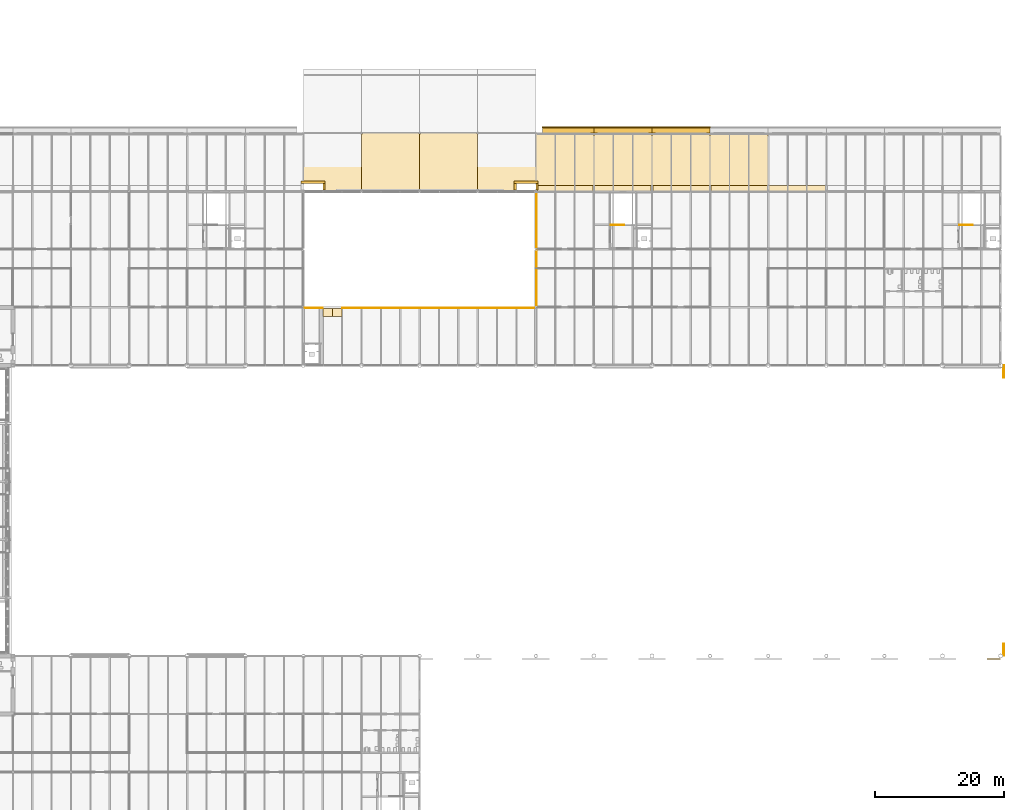
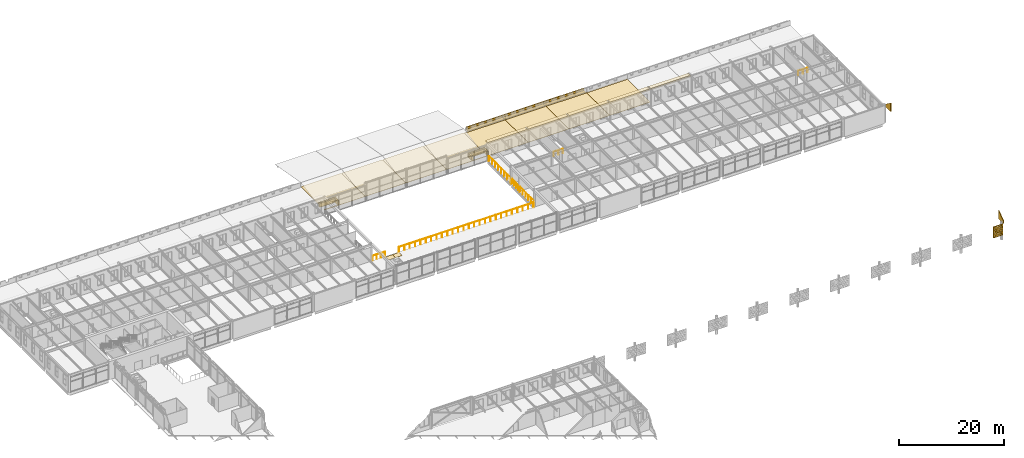
# One storey, part 110 of 123: 25 coverings, 7 railings, 4 shading devices.
"""IFC4 building model written with IfcOpenShell, lengths in metres."""

from ifc_helpers import new_model, si_unit, direction, frame, origin, origin_2d, place, context, subcontext, project, spatial, polyline, rectangle, circle, outline, extrude, material, layer, layer_set, type_object, element, save


model = new_model("IFC4")

# Units and contexts
model_context = context("Model", 3, precision=1e-05, world=origin(), true_north=direction((0.0, 1.0)))
body_context = subcontext(model_context, "Body", "Model", "MODEL_VIEW")
ifc_project = project(units=[si_unit("LENGTHUNIT", "METRE"), si_unit("AREAUNIT", "SQUARE_METRE"), si_unit("VOLUMEUNIT", "CUBIC_METRE"), si_unit("PLANEANGLEUNIT", "RADIAN"), si_unit("MASSUNIT", "GRAM", prefix="KILO")], contexts=[model_context])

# Site, building, storey
site_placement = place(None, origin())
site = spatial("IfcSite", under=ifc_project, at=site_placement, CompositionType="ELEMENT")
building_placement = place(site_placement, origin())
building = spatial("IfcBuilding", under=site, at=building_placement, Name="Baradari Gate Terminus", CompositionType="ELEMENT")
storey_placement = place(building_placement, frame((0.0, 0.0, 7.5)))
storey = spatial("IfcBuildingStorey", under=building, at=storey_placement, Name="L01", CompositionType="ELEMENT", Elevation=7.5)

# Coverings
ifc_material_1 = material(Name="Reconstituted stone cladding", Category="masonry")
ifc_layer_1 = layer(ifc_material_1, 0.199951171875)
ifc_layer_set_1 = layer_set([ifc_layer_1], Name="Reconstituted stone cladding")
covering_type_1 = type_object("IfcCoveringType", Name="Canopy chhajja fascia CF-1 450", PredefinedType="CLADDING", material=ifc_layer_set_1)
covering_1_placement = place(storey_placement, frame((176.0, 117.89990234375, 0.89990234375), z_axis=(0.0, 0.0, 1.0), x_axis=(1.0, 0.0, 0.0)))
element("IfcCovering", 1, at=covering_1_placement, inside=storey, type_object=covering_type_1, Name="Canopy chhajja fascia CF-1 C13", PredefinedType="CLADDING", context=body_context, shape_type="SweptSolid", body=[
    extrude(rectangle(XDim=8.0, YDim=0.199951171875, at=origin_2d()), origin(), (0.0, 0.0, 1.0), 0.449951171875),
])
for number, where, z_axis, x_axis, name in (
    (2, (184.5, 117.89990234375, 0.89990234375), (0.0, 0.0, 1.0), (1.0, 0.0, 0.0), "Canopy chhajja fascia CF-1 C14"),
    (3, (193.5, 117.89990234375, 0.89990234375), (0.0, 0.0, 1.0), (1.0, 0.0, 0.0), "Canopy chhajja fascia CF-1 C15"),
):
    element("IfcCovering", number, at=place(storey_placement, frame(where, z_axis=z_axis, x_axis=x_axis)), inside=storey, type_object=covering_type_1, Name=name, PredefinedType="CLADDING", context=body_context, shape_type="SweptSolid", body=[
        extrude(rectangle(XDim=9.0, YDim=0.199951171875, at=origin_2d()), origin(), (0.0, 0.0, 1.0), 0.449951171875),
    ])

# Shading devices
ifc_material_2 = material(Name="Concrete C40/50 precast", Category="concrete")
ifc_layer_2 = layer(ifc_material_2, 0.14990234375)
ifc_layer_set_2 = layer_set([ifc_layer_2], Name="Concrete C40/50 precast")
shading_device_type_1 = type_object("IfcShadingDeviceType", Name="Chhajja eave CJ-2 1000x150", PredefinedType="AWNING", material=ifc_layer_set_2)
shading_device_1_placement = place(storey_placement, frame((176.0, 117.5, 0.75), z_axis=(0.0, 0.0, 1.0), x_axis=(1.0, 0.0, 0.0)))
element("IfcShadingDevice", 4, at=shading_device_1_placement, inside=storey, type_object=shading_device_type_1, Name="Chhajja eave CJ-1 C bay 13", PredefinedType="AWNING", context=body_context, shape_type="SweptSolid", body=[
    extrude(rectangle(XDim=8.0, YDim=1.0, at=origin_2d()), origin(), (0.0, 0.0, 1.0), 0.14990234375),
])
for number, where, z_axis, x_axis, name in (
    (5, (184.5, 117.5, 0.75), (0.0, 0.0, 1.0), (1.0, 0.0, 0.0), "Chhajja eave CJ-1 C bay 14"),
    (6, (193.5, 117.5, 0.75), (0.0, 0.0, 1.0), (1.0, 0.0, 0.0), "Chhajja eave CJ-1 C bay 15"),
):
    element("IfcShadingDevice", number, at=place(storey_placement, frame(where, z_axis=z_axis, x_axis=x_axis)), inside=storey, type_object=shading_device_type_1, Name=name, PredefinedType="AWNING", context=body_context, shape_type="SweptSolid", body=[
        extrude(rectangle(XDim=9.0, YDim=1.0, at=origin_2d()), origin(), (0.0, 0.0, 1.0), 0.14990234375),
    ])

# Coverings
ifc_material_3 = material(Name="Stainless steel 1.4301", Category="steel")
ifc_layer_3 = layer(ifc_material_3, 0.050048828125)
ifc_layer_set_3 = layer_set([ifc_layer_3], Name="Stainless steel 1.4301")
covering_type_2 = type_object("IfcCoveringType", Name="Escalator landing plate EL-1", PredefinedType="FLOORING", material=ifc_layer_set_3)
covering_2_placement = place(storey_placement, frame((0.0, 0.0, -0.050048828125)))
element("IfcCovering", 7, at=covering_2_placement, inside=storey, type_object=covering_type_2, Name="Escalator landing plate EL-1 ES-H1 upper", PredefinedType="FLOORING", context=body_context, shape_type="SweptSolid", body=[
    extrude(outline(polyline([(138.0, 88.60009765625), (139.5, 88.60009765625), (139.5, 89.800048828125), (138.0, 89.800048828125), (138.0, 88.60009765625)])), origin(), (0.0, 0.0, 1.0), 0.050048828125),
])
covering_3_placement = place(storey_placement, frame((0.0, 0.0, -0.050048828125)))
element("IfcCovering", 8, at=covering_3_placement, inside=storey, type_object=covering_type_2, Name="Escalator landing plate EL-1 ES-H2 upper", PredefinedType="FLOORING", context=body_context, shape_type="SweptSolid", body=[
    extrude(outline(polyline([(139.5, 88.60009765625), (141.0, 88.60009765625), (141.0, 89.800048828125), (139.5, 89.800048828125), (139.5, 88.60009765625)])), origin(), (0.0, 0.0, 1.0), 0.050048828125),
])

# Railings
ifc_material_4 = material(Name="Stainless steel 1.4301", Category="steel")
railing_type_1 = type_object("IfcRailingType", Name="Guard GR-1 1100", PredefinedType="GUARDRAIL", material=ifc_material_4)
for number, where, name in (
    (9, (182.64990234375, 102.75, 0.0), "Stair guard ST-H3 at L01 top landing"),
    (10, (236.64990234375, 102.75, 0.0), "Stair guard ST-H4 at L01 top landing"),
):
    element("IfcRailing", number, at=place(storey_placement, frame(where)), inside=storey, type_object=railing_type_1, Name=name, PredefinedType="GUARDRAIL", context=body_context, shape_type="SweptSolid", body=[
        extrude(circle(Radius=0.02392578125, at=origin_2d()), frame((0.0, 0.0, 1.076171875), z_axis=(1.0, 0.0, 0.0), x_axis=(0.0, 1.0, 0.0)), (0.0, 0.0, 1.0), 2.010009765625),
        extrude(circle(Radius=0.02099609375, at=origin_2d()), origin(), (0.0, 0.0, 1.0), 1.052001953125),
        extrude(circle(Radius=0.02099609375, at=origin_2d()), frame((1.0048828125, 0.0, 0.0)), (0.0, 0.0, 1.0), 1.052001953125),
        extrude(circle(Radius=0.02099609375, at=origin_2d()), frame((2.010009765625, 0.0, 0.0)), (0.0, 0.0, 1.0), 1.052001953125),
    ])
ifc_material_5 = material(Name="Stainless steel 1.4301", Category="steel")
railing_type_2 = type_object("IfcRailingType", Name="Guard GR-2 1200", PredefinedType="GUARDRAIL", material=ifc_material_5)
railing_1_placement = place(storey_placement, frame((171.10009765625, 107.526611328125, 0.0)))
element("IfcRailing", 11, at=railing_1_placement, inside=storey, type_object=railing_type_2, Name="Ticket hall gallery guard 1", PredefinedType="GUARDRAIL", context=body_context, shape_type="SweptSolid", body=[
    extrude(circle(Radius=0.02392578125, at=origin_2d()), frame((0.0, 0.0, 1.17578125), z_axis=(0.0, -1.0, 0.0), x_axis=(1.0, 0.0, 0.0)), (0.0, 0.0, 1.0), 8.2548828125),
    extrude(circle(Radius=0.02099609375, at=origin_2d()), origin(), (0.0, 0.0, 1.0), 1.15185546875),
    extrude(circle(Radius=0.02099609375, at=origin_2d()), frame((0.0, -1.17919921875, 0.0)), (0.0, 0.0, 1.0), 1.15185546875),
    extrude(circle(Radius=0.02099609375, at=origin_2d()), frame((0.0, -2.358642578125, 0.0)), (0.0, 0.0, 1.0), 1.15185546875),
    extrude(circle(Radius=0.02099609375, at=origin_2d()), frame((0.0, -3.537841796875, 0.0)), (0.0, 0.0, 1.0), 1.15185546875),
    extrude(circle(Radius=0.02099609375, at=origin_2d()), frame((0.0, -4.717041015625, 0.0)), (0.0, 0.0, 1.0), 1.15185546875),
    extrude(circle(Radius=0.02099609375, at=origin_2d()), frame((0.0, -5.896240234375, 0.0)), (0.0, 0.0, 1.0), 1.15185546875),
    extrude(circle(Radius=0.02099609375, at=origin_2d()), frame((0.0, -7.07568359375, 0.0)), (0.0, 0.0, 1.0), 1.15185546875),
    extrude(circle(Radius=0.02099609375, at=origin_2d()), frame((0.0, -8.2548828125, 0.0)), (0.0, 0.0, 1.0), 1.15185546875),
])
railing_2_placement = place(storey_placement, frame((171.10009765625, 98.728271484375, 0.0)))
element("IfcRailing", 12, at=railing_2_placement, inside=storey, type_object=railing_type_2, Name="Ticket hall gallery guard 2", PredefinedType="GUARDRAIL", context=body_context, shape_type="SweptSolid", body=[
    extrude(circle(Radius=0.02392578125, at=origin_2d()), frame((0.0, 0.0, 1.17578125), z_axis=(0.0, -1.0, 0.0), x_axis=(1.0, 0.0, 0.0)), (0.0, 0.0, 1.0), 2.415771484375),
    extrude(circle(Radius=0.02099609375, at=origin_2d()), origin(), (0.0, 0.0, 1.0), 1.15185546875),
    extrude(circle(Radius=0.02099609375, at=origin_2d()), frame((0.0, -0.80517578125, 0.0)), (0.0, 0.0, 1.0), 1.15185546875),
    extrude(circle(Radius=0.02099609375, at=origin_2d()), frame((0.0, -1.610595703125, 0.0)), (0.0, 0.0, 1.0), 1.15185546875),
    extrude(circle(Radius=0.02099609375, at=origin_2d()), frame((0.0, -2.415771484375, 0.0)), (0.0, 0.0, 1.0), 1.15185546875),
])
railing_3_placement = place(storey_placement, frame((171.10009765625, 95.6875, 0.0)))
element("IfcRailing", 13, at=railing_3_placement, inside=storey, type_object=railing_type_2, Name="Ticket hall gallery guard 3", PredefinedType="GUARDRAIL", context=body_context, shape_type="SweptSolid", body=[
    extrude(circle(Radius=0.02392578125, at=origin_2d()), frame((0.0, 0.0, 1.17578125), z_axis=(0.0, -1.0, 0.0), x_axis=(1.0, 0.0, 0.0)), (0.0, 0.0, 1.0), 5.415771484375),
    extrude(circle(Radius=0.02099609375, at=origin_2d()), origin(), (0.0, 0.0, 1.0), 1.15185546875),
    extrude(circle(Radius=0.02099609375, at=origin_2d()), frame((0.0, -1.083251953125, 0.0)), (0.0, 0.0, 1.0), 1.15185546875),
    extrude(circle(Radius=0.02099609375, at=origin_2d()), frame((0.0, -2.166259765625, 0.0)), (0.0, 0.0, 1.0), 1.15185546875),
    extrude(circle(Radius=0.02099609375, at=origin_2d()), frame((0.0, -3.24951171875, 0.0)), (0.0, 0.0, 1.0), 1.15185546875),
    extrude(circle(Radius=0.02099609375, at=origin_2d()), frame((0.0, -4.33251953125, 0.0)), (0.0, 0.0, 1.0), 1.15185546875),
    extrude(circle(Radius=0.02099609375, at=origin_2d()), frame((0.0, -5.415771484375, 0.0)), (0.0, 0.0, 1.0), 1.15185546875),
])
railing_4_placement = place(storey_placement, frame((170.75, 89.89990234375, 0.0)))
element("IfcRailing", 14, at=railing_4_placement, inside=storey, type_object=railing_type_2, Name="Ticket hall gallery guard 4", PredefinedType="GUARDRAIL", context=body_context, shape_type="SweptSolid", body=[
    extrude(circle(Radius=0.02392578125, at=origin_2d()), frame((0.0, 0.0, 1.17578125), z_axis=(-1.0, 0.0, 0.0), x_axis=(0.0, -1.0, 0.0)), (0.0, 0.0, 1.0), 29.699951171875),
    extrude(circle(Radius=0.02099609375, at=origin_2d()), origin(), (0.0, 0.0, 1.0), 1.15185546875),
    extrude(circle(Radius=0.02099609375, at=origin_2d()), frame((-1.18798828125, 0.0, 0.0)), (0.0, 0.0, 1.0), 1.15185546875),
    extrude(circle(Radius=0.02099609375, at=origin_2d()), frame((-2.3759765625, 0.0, 0.0)), (0.0, 0.0, 1.0), 1.15185546875),
    extrude(circle(Radius=0.02099609375, at=origin_2d()), frame((-3.56396484375, 0.0, 0.0)), (0.0, 0.0, 1.0), 1.15185546875),
    extrude(circle(Radius=0.02099609375, at=origin_2d()), frame((-4.751953125, 0.0, 0.0)), (0.0, 0.0, 1.0), 1.15185546875),
    extrude(circle(Radius=0.02099609375, at=origin_2d()), frame((-5.93994140625, 0.0, 0.0)), (0.0, 0.0, 1.0), 1.15185546875),
    extrude(circle(Radius=0.02099609375, at=origin_2d()), frame((-7.1279296875, 0.0, 0.0)), (0.0, 0.0, 1.0), 1.15185546875),
    extrude(circle(Radius=0.02099609375, at=origin_2d()), frame((-8.31591796875, 0.0, 0.0)), (0.0, 0.0, 1.0), 1.15185546875),
    extrude(circle(Radius=0.02099609375, at=origin_2d()), frame((-9.50390625, 0.0, 0.0)), (0.0, 0.0, 1.0), 1.15185546875),
    extrude(circle(Radius=0.02099609375, at=origin_2d()), frame((-10.69189453125, 0.0, 0.0)), (0.0, 0.0, 1.0), 1.15185546875),
    extrude(circle(Radius=0.02099609375, at=origin_2d()), frame((-11.8798828125, 0.0, 0.0)), (0.0, 0.0, 1.0), 1.15185546875),
    extrude(circle(Radius=0.02099609375, at=origin_2d()), frame((-13.06787109375, 0.0, 0.0)), (0.0, 0.0, 1.0), 1.15185546875),
    extrude(circle(Radius=0.02099609375, at=origin_2d()), frame((-14.255859375, 0.0, 0.0)), (0.0, 0.0, 1.0), 1.15185546875),
    extrude(circle(Radius=0.02099609375, at=origin_2d()), frame((-15.444091796875, 0.0, 0.0)), (0.0, 0.0, 1.0), 1.15185546875),
    extrude(circle(Radius=0.02099609375, at=origin_2d()), frame((-16.632080078125, 0.0, 0.0)), (0.0, 0.0, 1.0), 1.15185546875),
    extrude(circle(Radius=0.02099609375, at=origin_2d()), frame((-17.820068359375, 0.0, 0.0)), (0.0, 0.0, 1.0), 1.15185546875),
    extrude(circle(Radius=0.02099609375, at=origin_2d()), frame((-19.008056640625, 0.0, 0.0)), (0.0, 0.0, 1.0), 1.15185546875),
    extrude(circle(Radius=0.02099609375, at=origin_2d()), frame((-20.196044921875, 0.0, 0.0)), (0.0, 0.0, 1.0), 1.15185546875),
    extrude(circle(Radius=0.02099609375, at=origin_2d()), frame((-21.384033203125, 0.0, 0.0)), (0.0, 0.0, 1.0), 1.15185546875),
    extrude(circle(Radius=0.02099609375, at=origin_2d()), frame((-22.572021484375, 0.0, 0.0)), (0.0, 0.0, 1.0), 1.15185546875),
    extrude(circle(Radius=0.02099609375, at=origin_2d()), frame((-23.760009765625, 0.0, 0.0)), (0.0, 0.0, 1.0), 1.15185546875),
    extrude(circle(Radius=0.02099609375, at=origin_2d()), frame((-24.947998046875, 0.0, 0.0)), (0.0, 0.0, 1.0), 1.15185546875),
    extrude(circle(Radius=0.02099609375, at=origin_2d()), frame((-26.135986328125, 0.0, 0.0)), (0.0, 0.0, 1.0), 1.15185546875),
    extrude(circle(Radius=0.02099609375, at=origin_2d()), frame((-27.323974609375, 0.0, 0.0)), (0.0, 0.0, 1.0), 1.15185546875),
    extrude(circle(Radius=0.02099609375, at=origin_2d()), frame((-28.511962890625, 0.0, 0.0)), (0.0, 0.0, 1.0), 1.15185546875),
    extrude(circle(Radius=0.02099609375, at=origin_2d()), frame((-29.699951171875, 0.0, 0.0)), (0.0, 0.0, 1.0), 1.15185546875),
])
railing_5_placement = place(storey_placement, frame((137.949951171875, 89.89990234375, 0.0)))
element("IfcRailing", 15, at=railing_5_placement, inside=storey, type_object=railing_type_2, Name="Ticket hall gallery guard 5", PredefinedType="GUARDRAIL", context=body_context, shape_type="SweptSolid", body=[
    extrude(circle(Radius=0.02392578125, at=origin_2d()), frame((0.0, 0.0, 1.17578125), z_axis=(-1.0, 0.0, 0.0), x_axis=(0.0, -1.0, 0.0)), (0.0, 0.0, 1.0), 2.699951171875),
    extrude(circle(Radius=0.02099609375, at=origin_2d()), origin(), (0.0, 0.0, 1.0), 1.15185546875),
    extrude(circle(Radius=0.02099609375, at=origin_2d()), frame((-0.89990234375, 0.0, 0.0)), (0.0, 0.0, 1.0), 1.15185546875),
    extrude(circle(Radius=0.02099609375, at=origin_2d()), frame((-1.800048828125, 0.0, 0.0)), (0.0, 0.0, 1.0), 1.15185546875),
    extrude(circle(Radius=0.02099609375, at=origin_2d()), frame((-2.699951171875, 0.0, 0.0)), (0.0, 0.0, 1.0), 1.15185546875),
])

# Shading device
ifc_material_6 = material(Name="Concrete C50/60 precast", Category="concrete")
ifc_layer_4 = layer(ifc_material_6, 0.1201171875)
ifc_layer_set_4 = layer_set([ifc_layer_4], Name="Concrete C50/60 precast")
shading_device_type_2 = type_object("IfcShadingDeviceType", Name="Jali screen panel JS-2 120", PredefinedType="SHUTTER", material=ifc_layer_set_4)
shading_device_2_placement = place(storey_placement, frame((240.89990234375, 35.52001953125, 1.27490234375), z_axis=(0.0, 0.0, 1.0), x_axis=(1.0, 0.0, 0.0)))
element("IfcShadingDevice", 16, at=shading_device_2_placement, inside=storey, type_object=shading_device_type_2, Name="Jali screen panel JS-2 SC09c row 4 panel 1", PredefinedType="SHUTTER", context=body_context, shape_type="SweptSolid", body=[
    extrude(outline(polyline([(0.0, 0.0), (2.10009765625, 0.0), (2.10009765625, 2.625), (0.0, 2.625), (0.0, 0.0)]), holes=[polyline([(0.340087890625, 0.21875), (0.27490234375, 0.106201171875), (0.14501953125, 0.106201171875), (0.080078125, 0.21875), (0.14501953125, 0.33154296875), (0.27490234375, 0.33154296875), (0.340087890625, 0.21875)]), polyline([(0.760009765625, 0.21875), (0.695068359375, 0.106201171875), (0.56494140625, 0.106201171875), (0.5, 0.21875), (0.56494140625, 0.33154296875), (0.695068359375, 0.33154296875), (0.760009765625, 0.21875)]), polyline([(1.179931640625, 0.21875), (1.114990234375, 0.106201171875), (0.985107421875, 0.106201171875), (0.919921875, 0.21875), (0.985107421875, 0.33154296875), (1.114990234375, 0.33154296875), (1.179931640625, 0.21875)]), polyline([(1.60009765625, 0.21875), (1.534912109375, 0.106201171875), (1.405029296875, 0.106201171875), (1.340087890625, 0.21875), (1.405029296875, 0.33154296875), (1.534912109375, 0.33154296875), (1.60009765625, 0.21875)]), polyline([(2.02001953125, 0.21875), (1.955078125, 0.106201171875), (1.824951171875, 0.106201171875), (1.760009765625, 0.21875), (1.824951171875, 0.33154296875), (1.955078125, 0.33154296875), (2.02001953125, 0.21875)]), polyline([(0.550048828125, 0.65625), (0.485107421875, 0.543701171875), (0.35498046875, 0.543701171875), (0.2900390625, 0.65625), (0.35498046875, 0.76904296875), (0.485107421875, 0.76904296875), (0.550048828125, 0.65625)]), polyline([(0.969970703125, 0.65625), (0.905029296875, 0.543701171875), (0.77490234375, 0.543701171875), (0.7099609375, 0.65625), (0.77490234375, 0.76904296875), (0.905029296875, 0.76904296875), (0.969970703125, 0.65625)]), polyline([(1.389892578125, 0.65625), (1.324951171875, 0.543701171875), (1.195068359375, 0.543701171875), (1.1298828125, 0.65625), (1.195068359375, 0.76904296875), (1.324951171875, 0.76904296875), (1.389892578125, 0.65625)]), polyline([(1.81005859375, 0.65625), (1.7451171875, 0.543701171875), (1.614990234375, 0.543701171875), (1.550048828125, 0.65625), (1.614990234375, 0.76904296875), (1.7451171875, 0.76904296875), (1.81005859375, 0.65625)]), polyline([(0.340087890625, 1.09375), (0.27490234375, 0.981201171875), (0.14501953125, 0.981201171875), (0.080078125, 1.09375), (0.14501953125, 1.20654296875), (0.27490234375, 1.20654296875), (0.340087890625, 1.09375)]), polyline([(0.760009765625, 1.09375), (0.695068359375, 0.981201171875), (0.56494140625, 0.981201171875), (0.5, 1.09375), (0.56494140625, 1.20654296875), (0.695068359375, 1.20654296875), (0.760009765625, 1.09375)]), polyline([(1.179931640625, 1.09375), (1.114990234375, 0.981201171875), (0.985107421875, 0.981201171875), (0.919921875, 1.09375), (0.985107421875, 1.20654296875), (1.114990234375, 1.20654296875), (1.179931640625, 1.09375)]), polyline([(1.60009765625, 1.09375), (1.534912109375, 0.981201171875), (1.405029296875, 0.981201171875), (1.340087890625, 1.09375), (1.405029296875, 1.20654296875), (1.534912109375, 1.20654296875), (1.60009765625, 1.09375)]), polyline([(2.02001953125, 1.09375), (1.955078125, 0.981201171875), (1.824951171875, 0.981201171875), (1.760009765625, 1.09375), (1.824951171875, 1.20654296875), (1.955078125, 1.20654296875), (2.02001953125, 1.09375)]), polyline([(0.550048828125, 1.53125), (0.485107421875, 1.418701171875), (0.35498046875, 1.418701171875), (0.2900390625, 1.53125), (0.35498046875, 1.64404296875), (0.485107421875, 1.64404296875), (0.550048828125, 1.53125)]), polyline([(0.969970703125, 1.53125), (0.905029296875, 1.418701171875), (0.77490234375, 1.418701171875), (0.7099609375, 1.53125), (0.77490234375, 1.64404296875), (0.905029296875, 1.64404296875), (0.969970703125, 1.53125)]), polyline([(1.389892578125, 1.53125), (1.324951171875, 1.418701171875), (1.195068359375, 1.418701171875), (1.1298828125, 1.53125), (1.195068359375, 1.64404296875), (1.324951171875, 1.64404296875), (1.389892578125, 1.53125)]), polyline([(1.81005859375, 1.53125), (1.7451171875, 1.418701171875), (1.614990234375, 1.418701171875), (1.550048828125, 1.53125), (1.614990234375, 1.64404296875), (1.7451171875, 1.64404296875), (1.81005859375, 1.53125)]), polyline([(0.340087890625, 1.96875), (0.27490234375, 1.856201171875), (0.14501953125, 1.856201171875), (0.080078125, 1.96875), (0.14501953125, 2.08154296875), (0.27490234375, 2.08154296875), (0.340087890625, 1.96875)]), polyline([(0.760009765625, 1.96875), (0.695068359375, 1.856201171875), (0.56494140625, 1.856201171875), (0.5, 1.96875), (0.56494140625, 2.08154296875), (0.695068359375, 2.08154296875), (0.760009765625, 1.96875)]), polyline([(1.179931640625, 1.96875), (1.114990234375, 1.856201171875), (0.985107421875, 1.856201171875), (0.919921875, 1.96875), (0.985107421875, 2.08154296875), (1.114990234375, 2.08154296875), (1.179931640625, 1.96875)]), polyline([(1.60009765625, 1.96875), (1.534912109375, 1.856201171875), (1.405029296875, 1.856201171875), (1.340087890625, 1.96875), (1.405029296875, 2.08154296875), (1.534912109375, 2.08154296875), (1.60009765625, 1.96875)]), polyline([(2.02001953125, 1.96875), (1.955078125, 1.856201171875), (1.824951171875, 1.856201171875), (1.760009765625, 1.96875), (1.824951171875, 2.08154296875), (1.955078125, 2.08154296875), (2.02001953125, 1.96875)]), polyline([(0.550048828125, 2.40625), (0.485107421875, 2.293701171875), (0.35498046875, 2.293701171875), (0.2900390625, 2.40625), (0.35498046875, 2.51904296875), (0.485107421875, 2.51904296875), (0.550048828125, 2.40625)]), polyline([(0.969970703125, 2.40625), (0.905029296875, 2.293701171875), (0.77490234375, 2.293701171875), (0.7099609375, 2.40625), (0.77490234375, 2.51904296875), (0.905029296875, 2.51904296875), (0.969970703125, 2.40625)]), polyline([(1.389892578125, 2.40625), (1.324951171875, 2.293701171875), (1.195068359375, 2.293701171875), (1.1298828125, 2.40625), (1.195068359375, 2.51904296875), (1.324951171875, 2.51904296875), (1.389892578125, 2.40625)]), polyline([(1.81005859375, 2.40625), (1.7451171875, 2.293701171875), (1.614990234375, 2.293701171875), (1.550048828125, 2.40625), (1.614990234375, 2.51904296875), (1.7451171875, 2.51904296875), (1.81005859375, 2.40625)])]), frame((0.0, 0.06005859375, 0.0), z_axis=(0.0, -1.0, 0.0), x_axis=(1.0, 0.0, 0.0)), (0.0, 0.0, 1.0), 0.1201171875),
])

# Coverings
ifc_material_7 = material(Name="Sandstone cladding", Category="masonry")
ifc_layer_5 = layer(ifc_material_7, 0.35009765625)
ifc_layer_set_5 = layer_set([ifc_layer_5], Name="Sandstone cladding")
covering_type_3 = type_object("IfcCoveringType", Name="Pishtaq pier base PF-3 350", PredefinedType="CLADDING", material=ifc_layer_set_5)
covering_4_placement = place(storey_placement, frame((136.5, 109.375, 0.9599609375), z_axis=(0.0, 0.0, 1.0), x_axis=(1.0, 0.0, 0.0)))
element("IfcCovering", 17, at=covering_4_placement, inside=storey, type_object=covering_type_3, Name="Pishtaq pier base PF-3 west pier N face", PredefinedType="CLADDING", context=body_context, shape_type="SweptSolid", body=[
    extrude(rectangle(XDim=3.699951171875, YDim=0.35009765625, at=origin_2d()), origin(), (0.0, 0.0, 1.0), 0.89990234375),
])
covering_5_placement = place(storey_placement, frame((138.175048828125, 108.699951171875, 0.9599609375), z_axis=(0.0, 0.0, 1.0), x_axis=(1.0, 0.0, 0.0)))
element("IfcCovering", 18, at=covering_5_placement, inside=storey, type_object=covering_type_3, Name="Pishtaq pier base PF-3 west pier E face", PredefinedType="CLADDING", context=body_context, shape_type="SweptSolid", body=[
    extrude(rectangle(XDim=0.35009765625, YDim=1.0, at=origin_2d()), origin(), (0.0, 0.0, 1.0), 0.89990234375),
])
covering_6_placement = place(storey_placement, frame((169.5, 109.375, 0.9599609375), z_axis=(0.0, 0.0, 1.0), x_axis=(1.0, 0.0, 0.0)))
element("IfcCovering", 19, at=covering_6_placement, inside=storey, type_object=covering_type_3, Name="Pishtaq pier base PF-3 east pier N face", PredefinedType="CLADDING", context=body_context, shape_type="SweptSolid", body=[
    extrude(rectangle(XDim=3.699951171875, YDim=0.35009765625, at=origin_2d()), origin(), (0.0, 0.0, 1.0), 0.89990234375),
])
for number, where, z_axis, x_axis, name in (
    (20, (167.824951171875, 108.699951171875, 0.9599609375), (0.0, 0.0, 1.0), (1.0, 0.0, 0.0), "Pishtaq pier base PF-3 east pier W face"),
    (21, (171.175048828125, 108.699951171875, 0.9599609375), (0.0, 0.0, 1.0), (1.0, 0.0, 0.0), "Pishtaq pier base PF-3 east pier E face"),
):
    element("IfcCovering", number, at=place(storey_placement, frame(where, z_axis=z_axis, x_axis=x_axis)), inside=storey, type_object=covering_type_3, Name=name, PredefinedType="CLADDING", context=body_context, shape_type="SweptSolid", body=[
        extrude(rectangle(XDim=0.35009765625, YDim=1.0, at=origin_2d()), origin(), (0.0, 0.0, 1.0), 0.89990234375),
    ])
ifc_material_8 = material(Name="Concrete C40/50", Category="concrete")
covering_type_4 = type_object("IfcCoveringType", Name="Precast cornice band", PredefinedType="CLADDING", material=ifc_material_8)
for number, where, z_axis, x_axis, name in (
    (22, (175.5, 108.45361328125, 3.650146484375), (0.0, 0.0, 1.0), (1.0, 0.0, 0.0), "RF/L01/CO-19"),
    (23, (184.5, 108.45361328125, 3.650146484375), (0.0, 0.0, 1.0), (1.0, 0.0, 0.0), "RF/L01/CO-20"),
    (24, (193.5, 108.45361328125, 3.650146484375), (0.0, 0.0, 1.0), (1.0, 0.0, 0.0), "RF/L01/CO-21"),
    (25, (202.5, 108.45361328125, 3.650146484375), (0.0, 0.0, 1.0), (1.0, 0.0, 0.0), "RF/L01/CO-22"),
    (26, (211.5, 108.45361328125, 3.650146484375), (0.0, 0.0, 1.0), (1.0, 0.0, 0.0), "RF/L01/CO-23"),
):
    element("IfcCovering", number, at=place(storey_placement, frame(where, z_axis=z_axis, x_axis=x_axis)), inside=storey, type_object=covering_type_4, Name=name, PredefinedType="CLADDING", context=body_context, shape_type="SweptSolid", body=[
        extrude(rectangle(XDim=8.74365234375, YDim=0.89990234375, at=origin_2d()), origin(), (0.0, 0.0, 1.0), 0.39990234375),
    ])
ifc_material_9 = material(Name="Sandstone cladding", Category="masonry")
ifc_layer_6 = layer(ifc_material_9, 0.14990234375)
ifc_layer_set_6 = layer_set([ifc_layer_6], Name="Sandstone cladding")
covering_type_5 = type_object("IfcCoveringType", Name="Shed gable arch band GB2 150", PredefinedType="CLADDING", material=ifc_layer_set_6)
covering_7_placement = place(storey_placement, frame((243.449951171875, 36.0, 3.5), z_axis=(0.0, 0.0, 1.0), x_axis=(0.0, 1.0, 0.0)))
element("IfcCovering", 27, at=covering_7_placement, inside=storey, type_object=covering_type_5, Name="Shed gable arch band 01a", PredefinedType="CLADDING", context=body_context, shape_type="SweptSolid", body=[
    extrude(outline(polyline([(1.875, 0.0), (1.875, 1.990966796875), (0.0, 0.615966796875), (0.0, 0.0), (1.875, 0.0)])), frame((0.0, 0.074951171875, 0.0), z_axis=(0.0, -1.0, 0.0), x_axis=(1.0, 0.0, 0.0)), (0.0, 0.0, 1.0), 0.14990234375),
])
covering_8_placement = place(storey_placement, frame((243.449951171875, 79.125, 3.5), z_axis=(0.0, 0.0, 1.0), x_axis=(0.0, 1.0, 0.0)))
element("IfcCovering", 28, at=covering_8_placement, inside=storey, type_object=covering_type_5, Name="Shed gable arch band 12b", PredefinedType="CLADDING", context=body_context, shape_type="SweptSolid", body=[
    extrude(outline(polyline([(1.875, 0.0), (1.875, 0.615966796875), (0.0, 1.990966796875), (0.0, 0.0), (1.875, 0.0)])), frame((0.0, 0.074951171875, 0.0), z_axis=(0.0, -1.0, 0.0), x_axis=(1.0, 0.0, 0.0)), (0.0, 0.0, 1.0), 0.14990234375),
])
ifc_material_10 = material(Name="Terracotta roof tiles", Category="masonry")
ifc_layer_7 = layer(ifc_material_10, 0.06005859375)
ifc_layer_set_7 = layer_set([ifc_layer_7], Name="Terracotta roof tiles")
covering_type_6 = type_object("IfcCoveringType", Name="Terracotta roof tiles RT-1 60", PredefinedType="ROOFING", material=ifc_layer_set_7)
covering_9_placement = place(storey_placement, frame((0.0, 0.0, 0.89990234375)))
element("IfcCovering", 29, at=covering_9_placement, inside=storey, type_object=covering_type_6, Name="Terracotta roof tiles RT-1 C09", PredefinedType="ROOFING", context=body_context, shape_type="SweptSolid", body=[
    extrude(outline(polyline([(144.0, 108.130126953125), (143.871826171875, 108.130126953125), (143.871826171875, 108.0), (135.128173828125, 108.0), (135.128173828125, 108.130126953125), (135.0, 108.130126953125), (135.0, 108.199951171875), (138.0, 108.199951171875), (138.0, 109.199951171875), (135.0, 109.199951171875), (135.0, 116.877685546875), (135.122314453125, 116.877685546875), (135.122314453125, 117.0), (143.877685546875, 117.0), (143.877685546875, 116.877685546875), (144.0, 116.877685546875), (144.0, 108.130126953125)])), origin(), (0.0, 0.0, 1.0), 0.06005859375),
])
covering_10_placement = place(storey_placement, frame((0.0, 0.0, 0.89990234375)))
element("IfcCovering", 30, at=covering_10_placement, inside=storey, type_object=covering_type_6, Name="Terracotta roof tiles RT-1 C10", PredefinedType="ROOFING", context=body_context, shape_type="SweptSolid", body=[
    extrude(outline(polyline([(153.0, 108.130126953125), (152.871826171875, 108.130126953125), (152.871826171875, 108.0), (144.128173828125, 108.0), (144.128173828125, 108.130126953125), (144.0, 108.130126953125), (144.0, 116.877685546875), (144.122314453125, 116.877685546875), (144.122314453125, 117.0), (152.877685546875, 117.0), (152.877685546875, 116.877685546875), (153.0, 116.877685546875), (153.0, 108.130126953125)])), origin(), (0.0, 0.0, 1.0), 0.06005859375),
])
covering_11_placement = place(storey_placement, frame((0.0, 0.0, 0.89990234375)))
element("IfcCovering", 31, at=covering_11_placement, inside=storey, type_object=covering_type_6, Name="Terracotta roof tiles RT-1 C11", PredefinedType="ROOFING", context=body_context, shape_type="SweptSolid", body=[
    extrude(outline(polyline([(162.0, 108.130126953125), (161.871826171875, 108.130126953125), (161.871826171875, 108.0), (153.128173828125, 108.0), (153.128173828125, 108.130126953125), (153.0, 108.130126953125), (153.0, 116.877685546875), (153.122314453125, 116.877685546875), (153.122314453125, 117.0), (161.877685546875, 117.0), (161.877685546875, 116.877685546875), (162.0, 116.877685546875), (162.0, 108.130126953125)])), origin(), (0.0, 0.0, 1.0), 0.06005859375),
])
covering_12_placement = place(storey_placement, frame((0.0, 0.0, 0.89990234375)))
element("IfcCovering", 32, at=covering_12_placement, inside=storey, type_object=covering_type_6, Name="Terracotta roof tiles RT-1 C12", PredefinedType="ROOFING", context=body_context, shape_type="SweptSolid", body=[
    extrude(outline(polyline([(171.0, 108.130126953125), (170.871826171875, 108.130126953125), (170.871826171875, 108.0), (162.128173828125, 108.0), (162.128173828125, 108.130126953125), (162.0, 108.130126953125), (162.0, 116.877685546875), (162.122314453125, 116.877685546875), (162.122314453125, 117.0), (170.877685546875, 117.0), (170.877685546875, 116.877685546875), (171.0, 116.877685546875), (171.0, 109.199951171875), (168.0, 109.199951171875), (168.0, 108.199951171875), (171.0, 108.199951171875), (171.0, 108.130126953125)])), origin(), (0.0, 0.0, 1.0), 0.06005859375),
])
covering_13_placement = place(storey_placement, frame((0.0, 0.0, 0.89990234375)))
element("IfcCovering", 33, at=covering_13_placement, inside=storey, type_object=covering_type_6, Name="Terracotta roof tiles RT-1 C13", PredefinedType="ROOFING", context=body_context, shape_type="SweptSolid", body=[
    extrude(outline(polyline([(180.0, 117.0), (180.0, 108.130126953125), (179.871826171875, 108.130126953125), (179.871826171875, 108.00341796875), (171.128173828125, 108.00341796875), (171.128173828125, 108.130126953125), (171.0, 108.130126953125), (171.0, 108.199951171875), (171.0, 109.199951171875), (171.0, 116.877685546875), (171.122314453125, 116.877685546875), (171.122314453125, 117.0), (180.0, 117.0)]), holes=[polyline([(179.949951171875, 116.949951171875), (171.22509765625, 116.949951171875), (171.22509765625, 116.75), (179.949951171875, 116.75), (179.949951171875, 116.949951171875)])]), origin(), (0.0, 0.0, 1.0), 0.06005859375),
])
covering_14_placement = place(storey_placement, frame((0.0, 0.0, 0.89990234375)))
element("IfcCovering", 34, at=covering_14_placement, inside=storey, type_object=covering_type_6, Name="Terracotta roof tiles RT-1 C14", PredefinedType="ROOFING", context=body_context, shape_type="SweptSolid", body=[
    extrude(outline(polyline([(180.0, 117.0), (189.0, 117.0), (189.0, 108.130126953125), (188.871826171875, 108.130126953125), (188.871826171875, 108.00341796875), (180.128173828125, 108.00341796875), (180.128173828125, 108.130126953125), (180.0, 108.130126953125), (180.0, 117.0)]), holes=[polyline([(188.949951171875, 116.75), (188.949951171875, 116.949951171875), (180.050048828125, 116.949951171875), (180.050048828125, 116.75), (188.949951171875, 116.75)])]), origin(), (0.0, 0.0, 1.0), 0.06005859375),
])
covering_15_placement = place(storey_placement, frame((0.0, 0.0, 0.89990234375)))
element("IfcCovering", 35, at=covering_15_placement, inside=storey, type_object=covering_type_6, Name="Terracotta roof tiles RT-1 C15", PredefinedType="ROOFING", context=body_context, shape_type="SweptSolid", body=[
    extrude(outline(polyline([(189.0, 117.0), (198.0, 117.0), (198.0, 108.130126953125), (197.871826171875, 108.130126953125), (197.871826171875, 108.00341796875), (189.128173828125, 108.00341796875), (189.128173828125, 108.130126953125), (189.0, 108.130126953125), (189.0, 117.0)]), holes=[polyline([(197.949951171875, 116.949951171875), (189.050048828125, 116.949951171875), (189.050048828125, 116.75), (197.949951171875, 116.75), (197.949951171875, 116.949951171875)])]), origin(), (0.0, 0.0, 1.0), 0.06005859375),
])
covering_16_placement = place(storey_placement, frame((0.0, 0.0, 0.89990234375)))
element("IfcCovering", 36, at=covering_16_placement, inside=storey, type_object=covering_type_6, Name="Terracotta roof tiles RT-1 C16", PredefinedType="ROOFING", context=body_context, shape_type="SweptSolid", body=[
    extrude(outline(polyline([(198.0, 117.0), (207.0, 117.0), (207.0, 108.130126953125), (206.871826171875, 108.130126953125), (206.871826171875, 108.00341796875), (198.128173828125, 108.00341796875), (198.128173828125, 108.130126953125), (198.0, 108.130126953125), (198.0, 117.0)]), holes=[polyline([(206.949951171875, 116.949951171875), (198.050048828125, 116.949951171875), (198.050048828125, 116.75), (206.949951171875, 116.75), (206.949951171875, 116.949951171875)])]), origin(), (0.0, 0.0, 1.0), 0.06005859375),
])

save(model, "model.ifc")
